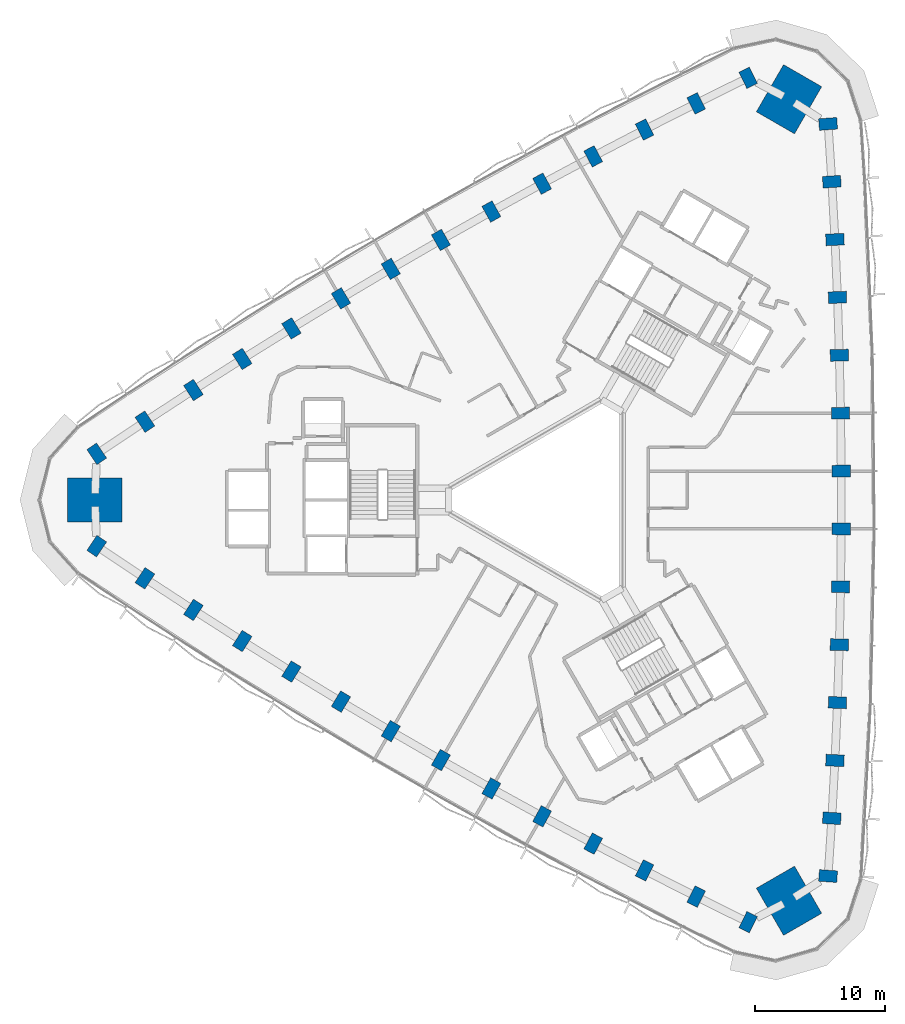
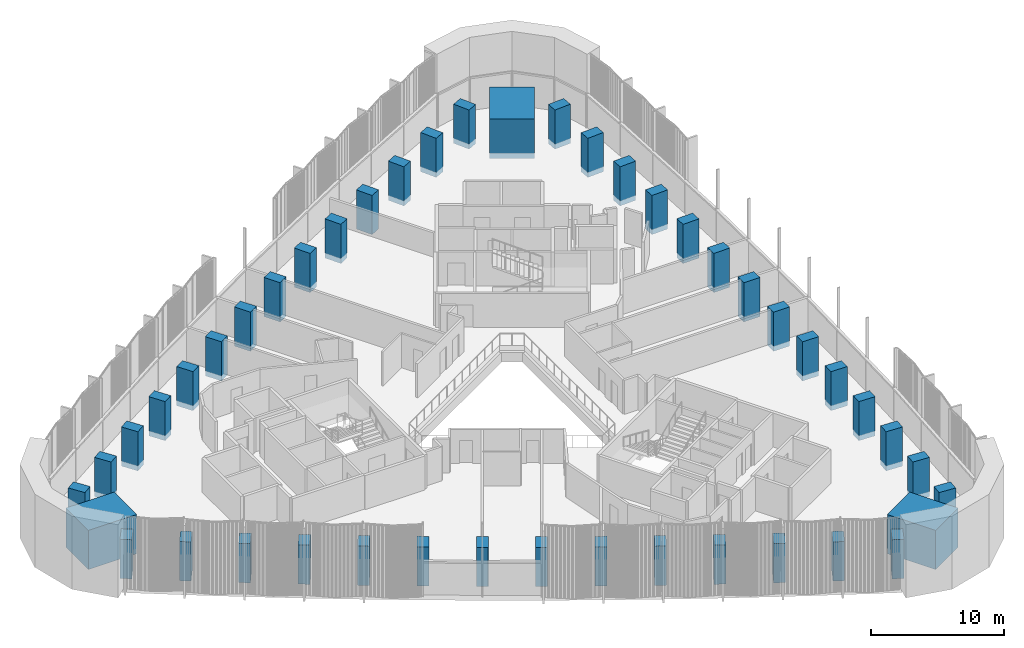
# One storey, part 1 of 16: 45 columns.
"""IFC4 building model written with IfcOpenShell, lengths in metres."""

from ifc_helpers import new_model, si_unit, direction, frame, origin, origin_2d, place, context, subcontext, project, spatial, rectangle, extrude, material, material_profile, profile_set, type_object, element, save


model = new_model("IFC4")

# Units and contexts
model_context = context("Model", 3, precision=1e-05, world=origin(), true_north=direction((0.0, 1.0)))
body_context = subcontext(model_context, "Body", "Model", "MODEL_VIEW")
ifc_project = project(units=[si_unit("LENGTHUNIT", "METRE"), si_unit("AREAUNIT", "SQUARE_METRE"), si_unit("VOLUMEUNIT", "CUBIC_METRE"), si_unit("PLANEANGLEUNIT", "RADIAN"), si_unit("MASSUNIT", "GRAM", prefix="KILO")], contexts=[model_context])

# Site, building, storey
site_placement = place(None, origin())
site = spatial("IfcSite", under=ifc_project, at=site_placement, CompositionType="ELEMENT")
building_placement = place(site_placement, origin())
building = spatial("IfcBuilding", under=site, at=building_placement, Name="Tamra Quay Hotel Tower", CompositionType="ELEMENT")
storey_placement = place(building_placement, frame((0.0, 0.0, 56.60009765625)))
storey = spatial("IfcBuildingStorey", under=building, at=storey_placement, Name="L12", CompositionType="ELEMENT", Elevation=56.60009765625)

# Columns
ifc_material = material(Name="Concrete M70", Category="concrete")
ifc_material_profile_1 = material_profile(ifc_material, rectangle(XDim=1.39990234375, YDim=0.89990234375, at=origin_2d()), Name="COLUMN RC 900x1400 Z1")
ifc_profile_set_1 = profile_set([ifc_material_profile_1], Name="Concrete M70")
column_type_1 = type_object("IfcColumnType", Name="COLUMN RC 900x1400 Z1", PredefinedType="COLUMN", material=ifc_profile_set_1)
for number, where, z_axis, x_axis, name in (
    (1, (20.87890625, -29.033935546875, -0.47509765625), (0.0, 0.0, 1.0), (-0.997561736499, 0.069789554182, 0.0), "COL-C1E01-L12"),
    (2, (21.168701171875, -24.572509765625, -0.47509765625), (0.0, 0.0, 1.0), (-0.998214376921, 0.059733221148, 0.0), "COL-C1E02-L12"),
    (3, (21.410400390625, -20.10888671875, -0.47509765625), (0.0, 0.0, 1.0), (-0.998830734492, 0.048344222345, 0.0), "COL-C1E03-L12"),
    (4, (21.60400390625, -15.642578125, -0.47509765625), (0.0, 0.0, 1.0), (-0.999284860458, 0.037812268629, 0.0), "COL-C1E04-L12"),
    (5, (21.7490234375, -11.17431640625, -0.47509765625), (0.0, 0.0, 1.0), (-0.999628128016, 0.02726913418, 0.0), "COL-C1E05-L12"),
    (6, (21.845947265625, -6.70556640625, -0.47509765625), (0.0, 0.0, 1.0), (-0.999874567832, 0.015838200722, 0.0), "COL-C1E06-L12"),
    (7, (21.894287109375, -2.2353515625, -0.47509765625), (0.0, 0.0, 1.0), (-0.999986062833, 0.00527959646, 0.0), "COL-C1E07-L12"),
    (8, (21.894287109375, 2.2353515625, -0.47509765625), (0.0, 0.0, 1.0), (0.999986062833, 0.00527959646, 0.0), "COL-C1E08-L12"),
    (9, (21.845947265625, 6.70556640625, -0.47509765625), (0.0, 0.0, 1.0), (0.999874567832, 0.015838200722, 0.0), "COL-C1E09-L12"),
    (10, (21.7490234375, 11.17431640625, -0.47509765625), (0.0, 0.0, 1.0), (0.999628128016, 0.02726913418, 0.0), "COL-C1E10-L12"),
    (11, (21.60400390625, 15.642578125, -0.47509765625), (0.0, 0.0, 1.0), (0.999284860458, 0.037812268629, 0.0), "COL-C1E11-L12"),
    (12, (21.410400390625, 20.10888671875, -0.47509765625), (0.0, 0.0, 1.0), (0.998830734492, 0.048344222345, 0.0), "COL-C1E12-L12"),
    (13, (21.168701171875, 24.572509765625, -0.47509765625), (0.0, 0.0, 1.0), (0.998214376921, 0.059733221148, 0.0), "COL-C1E13-L12"),
    (14, (20.87890625, 29.033935546875, -0.47509765625), (0.0, 0.0, 1.0), (0.997561736499, 0.069789554182, 0.0), "COL-C1E14-L12"),
    (15, (14.70458984375, 32.5986328125, -0.47509765625), (0.0, 0.0, 1.0), (-0.438341341409, 0.898808582743, 0.0), "COL-C1NW01-L12"),
    (16, (10.69580078125, 30.618896484375, -0.47509765625), (0.0, 0.0, 1.0), (-0.447376701496, 0.89434561941, 0.0), "COL-C1NW02-L12"),
    (17, (6.709716796875, 28.596435546875, -0.47509765625), (0.0, 0.0, 1.0), (-0.457548042569, 0.889184901323, 0.0), "COL-C1NW03-L12"),
    (18, (2.744873046875, 26.53076171875, -0.47509765625), (0.0, 0.0, 1.0), (-0.466896045022, 0.884312209088, 0.0), "COL-C1NW04-L12"),
    (19, (-1.197265625, 24.422607421875, -0.47509765625), (0.0, 0.0, 1.0), (-0.476198301069, 0.879337920289, 0.0), "COL-C1NW05-L12"),
    (20, (-5.11572265625, 22.27197265625, -0.47509765625), (0.0, 0.0, 1.0), (-0.486220999741, 0.873835876702, 0.0), "COL-C1NW06-L12"),
    (21, (-9.011474609375, 20.07861328125, -0.47509765625), (0.0, 0.0, 1.0), (-0.495420766761, 0.868653132074, 0.0), "COL-C1NW07-L12"),
    (22, (-12.883056640625, 17.843505859375, -0.47509765625), (0.0, 0.0, 1.0), (-0.504565296072, 0.863373535614, 0.0), "COL-C1NW08-L12"),
    (23, (-16.72998046875, 15.56640625, -0.47509765625), (0.0, 0.0, 1.0), (-0.513653568092, 0.85799767598, 0.0), "COL-C1NW09-L12"),
    (24, (-20.552001953125, 13.248046875, -0.47509765625), (0.0, 0.0, 1.0), (-0.523429826947, 0.85206878611, 0.0), "COL-C1NW10-L12"),
    (25, (-24.348876953125, 10.88818359375, -0.47509765625), (0.0, 0.0, 1.0), (-0.532388815436, 0.84649994046, 0.0), "COL-C1NW11-L12"),
    (26, (-28.1201171875, 8.487548828125, -0.47509765625), (0.0, 0.0, 1.0), (-0.541282691923, 0.840840678978, 0.0), "COL-C1NW12-L12"),
    (27, (-31.86474609375, 6.04638671875, -0.47509765625), (0.0, 0.0, 1.0), (-0.550837675425, 0.834612398262, 0.0), "COL-C1NW13-L12"),
    (28, (-35.58349609375, 3.564697265625, -0.47509765625), (0.0, 0.0, 1.0), (-0.55922039509, 0.82901902856, 0.0), "COL-C1NW14-L12"),
    (29, (-35.58349609375, -3.564697265625, -0.47509765625), (0.0, 0.0, 1.0), (0.55922039509, 0.82901902856, 0.0), "COL-C1SW01-L12"),
    (30, (-31.86474609375, -6.04638671875, -0.47509765625), (0.0, 0.0, 1.0), (0.550837675425, 0.834612398262, 0.0), "COL-C1SW02-L12"),
    (31, (-28.1201171875, -8.487548828125, -0.47509765625), (0.0, 0.0, 1.0), (0.541282691923, 0.840840678978, 0.0), "COL-C1SW03-L12"),
    (32, (-24.348876953125, -10.88818359375, -0.47509765625), (0.0, 0.0, 1.0), (0.532388815436, 0.84649994046, 0.0), "COL-C1SW04-L12"),
    (33, (-20.552001953125, -13.248046875, -0.47509765625), (0.0, 0.0, 1.0), (0.523429826947, 0.85206878611, 0.0), "COL-C1SW05-L12"),
    (34, (-16.72998046875, -15.56640625, -0.47509765625), (0.0, 0.0, 1.0), (0.513653568092, 0.85799767598, 0.0), "COL-C1SW06-L12"),
    (35, (-12.883056640625, -17.843505859375, -0.47509765625), (0.0, 0.0, 1.0), (0.504565296072, 0.863373535614, 0.0), "COL-C1SW07-L12"),
    (36, (-9.011474609375, -20.07861328125, -0.47509765625), (0.0, 0.0, 1.0), (0.495420766761, 0.868653132074, 0.0), "COL-C1SW08-L12"),
    (37, (-5.11572265625, -22.27197265625, -0.47509765625), (0.0, 0.0, 1.0), (0.486220999741, 0.873835876702, 0.0), "COL-C1SW09-L12"),
    (38, (-1.197265625, -24.422607421875, -0.47509765625), (0.0, 0.0, 1.0), (0.476198301069, 0.879337920289, 0.0), "COL-C1SW10-L12"),
    (39, (2.744873046875, -26.53076171875, -0.47509765625), (0.0, 0.0, 1.0), (0.466896045022, 0.884312209088, 0.0), "COL-C1SW11-L12"),
    (40, (6.709716796875, -28.596435546875, -0.47509765625), (0.0, 0.0, 1.0), (0.457548042569, 0.889184901323, 0.0), "COL-C1SW12-L12"),
    (41, (10.69580078125, -30.618896484375, -0.47509765625), (0.0, 0.0, 1.0), (0.447376701496, 0.89434561941, 0.0), "COL-C1SW13-L12"),
    (42, (14.70458984375, -32.5986328125, -0.47509765625), (0.0, 0.0, 1.0), (0.438341341409, 0.898808582743, 0.0), "COL-C1SW14-L12"),
):
    element("IfcColumn", number, at=place(storey_placement, frame(where, z_axis=z_axis, x_axis=x_axis)), inside=storey, type_object=column_type_1, Name=name, PredefinedType="COLUMN", context=body_context, shape_type="SweptSolid", body=[
        extrude(rectangle(XDim=1.39990234375, YDim=0.89990234375, at=origin_2d()), origin(), (0.0, 0.0, 1.0), 3.60009765625),
    ])
ifc_material_profile_2 = material_profile(ifc_material, rectangle(XDim=4.199951171875, YDim=3.39990234375, at=origin_2d()), Name="MEGA COLUMN RC 3400x4200 Z1")
ifc_profile_set_2 = profile_set([ifc_material_profile_2], Name="Concrete M70")
column_type_2 = type_object("IfcColumnType", Name="MEGA COLUMN RC 3400x4200 Z1", PredefinedType="COLUMN", material=ifc_profile_set_2)
for number, where, z_axis, x_axis, name in (
    (43, (17.864501953125, 30.942138671875, -0.47509765625), (0.0, 0.0, 1.0), (0.5, 0.866025403784, 0.0), "COL-M1NE-L12"),
    (44, (-35.72900390625, 0.0, -0.47509765625), (0.0, 0.0, 1.0), (1.0, 0.0, 0.0), "COL-M1W-L12"),
    (45, (17.864501953125, -30.942138671875, -0.47509765625), (0.0, 0.0, 1.0), (-0.5, 0.866025403784, 0.0), "COL-M1SE-L12"),
):
    element("IfcColumn", number, at=place(storey_placement, frame(where, z_axis=z_axis, x_axis=x_axis)), inside=storey, type_object=column_type_2, Name=name, PredefinedType="COLUMN", context=body_context, shape_type="SweptSolid", body=[
        extrude(rectangle(XDim=4.199951171875, YDim=3.39990234375, at=origin_2d()), origin(), (0.0, 0.0, 1.0), 3.60009765625),
    ])

save(model, "model.ifc")
